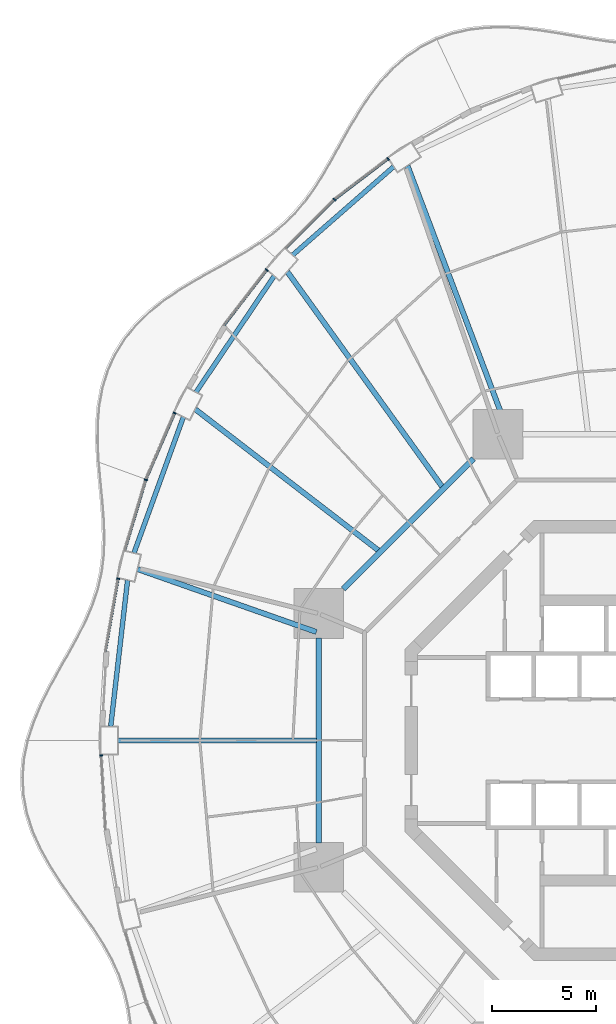
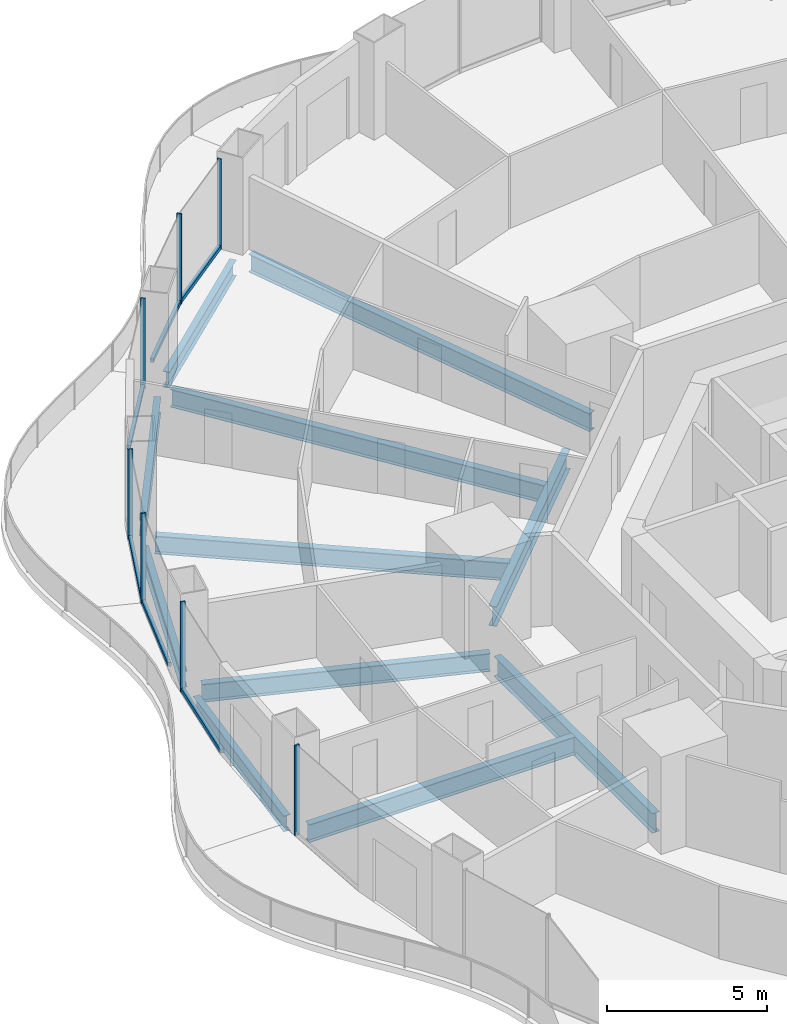
# One storey, part 7 of 22: 13 members, 11 beams, 7 elements without a shape of their own.
"""IFC4 building model written with IfcOpenShell, lengths in metres."""

from ifc_helpers import new_model, si_unit, direction, frame, origin, origin_2d, place, context, subcontext, project, spatial, rectangle, i_section, extrude, material, layer, layer_set, material_profile, profile_set, type_object, element, aggregate, save


model = new_model("IFC4")

# Units and contexts
model_context = context("Model", 3, precision=1e-05, world=origin(), true_north=direction((0.0, 1.0)))
body_context = subcontext(model_context, "Body", "Model", "MODEL_VIEW")
ifc_project = project(units=[si_unit("LENGTHUNIT", "METRE"), si_unit("AREAUNIT", "SQUARE_METRE"), si_unit("VOLUMEUNIT", "CUBIC_METRE"), si_unit("PLANEANGLEUNIT", "RADIAN"), si_unit("MASSUNIT", "GRAM", prefix="KILO")], contexts=[model_context])

# Site, building, storey
site_placement = place(None, origin())
site = spatial("IfcSite", under=ifc_project, at=site_placement, CompositionType="ELEMENT")
building_placement = place(site_placement, origin())
building = spatial("IfcBuilding", under=site, at=building_placement, Name="Nagisa Residences", CompositionType="ELEMENT")
storey_placement = place(building_placement, frame((0.0, 0.0, 52.89990234375)))
storey = spatial("IfcBuildingStorey", under=building, at=storey_placement, Name="L12", CompositionType="ELEMENT", Elevation=52.89990234375)

# Curtain wall, member
ifc_material_1 = material(Name="Concrete-coloured aluminium curtain wall system", Category="concrete")
ifc_layer = layer(ifc_material_1, 0.159912109375)
ifc_layer_set = layer_set([ifc_layer], Name="CW1 CURTAIN WALL")
curtain_wall_type = type_object("IfcCurtainWallType", Name="CW1 CURTAIN WALL", PredefinedType="NOTDEFINED", material=ifc_layer_set)
curtain_wall_1_placement = place(storey_placement, origin())
curtain_wall_1 = element("IfcCurtainWall", 1, at=curtain_wall_1_placement, inside=storey, type_object=curtain_wall_type, Name="cw:CW1:L12:16", PredefinedType="NOTDEFINED")
ifc_material_2 = material(Name="Concrete-coloured aluminium", Category="concrete")
ifc_material_profile_1 = material_profile(ifc_material_2, rectangle(XDim=0.159912109375, YDim=0.06005859375, at=origin_2d()), Name="CW1 MULLION 160x60")
ifc_profile_set_1 = profile_set([ifc_material_profile_1], Name="Concrete-coloured aluminium")
member_type_1 = type_object("IfcMemberType", Name="CW1 MULLION 160x60", PredefinedType="MULLION", material=ifc_profile_set_1)
member_1_placement = place(storey_placement, frame((-11.4326171875, 28.0732421875, 0.0), z_axis=(0.0, 0.0, 1.0), x_axis=(0.605255421737, -0.79603132756, 0.0)))
member_1 = element("IfcMember", 2, at=member_1_placement, type_object=member_type_1, Name="CW1 mullion", PredefinedType="MULLION", context=body_context, shape_type="SweptSolid", body=[
    extrude(rectangle(XDim=0.159912109375, YDim=0.06005859375, at=origin_2d()), origin(), (0.0, 0.0, 1.0), 3.440185546875),
])

curtain_wall_2_placement = place(storey_placement, origin())
curtain_wall_2 = element("IfcCurtainWall", 3, at=curtain_wall_2_placement, inside=storey, type_object=curtain_wall_type, Name="cw:CW1:L12:17", PredefinedType="NOTDEFINED")
member_2_placement = place(storey_placement, frame((-14.018798828125, 26.102783203125, 0.0), z_axis=(0.0, 0.0, 1.0), x_axis=(0.706376885714, -0.707835924016, 0.0)))
member_2 = element("IfcMember", 4, at=member_2_placement, type_object=member_type_1, Name="CW1 mullion", PredefinedType="MULLION", context=body_context, shape_type="SweptSolid", body=[
    extrude(rectangle(XDim=0.159912109375, YDim=0.06005859375, at=origin_2d()), origin(), (0.0, 0.0, 1.0), 3.440185546875),
])

curtain_wall_3_placement = place(storey_placement, origin())
curtain_wall_3 = element("IfcCurtainWall", 5, at=curtain_wall_3_placement, inside=storey, type_object=curtain_wall_type, Name="cw:CW1:L12:18", PredefinedType="NOTDEFINED")
member_3_placement = place(storey_placement, frame((-17.288330078125, 22.70751953125, 0.0), z_axis=(0.0, 0.0, 1.0), x_axis=(0.792070340816, -0.610429828235, 0.0)))
member_3 = element("IfcMember", 6, at=member_3_placement, type_object=member_type_1, Name="CW1 mullion", PredefinedType="MULLION", context=body_context, shape_type="SweptSolid", body=[
    extrude(rectangle(XDim=0.159912109375, YDim=0.06005859375, at=origin_2d()), origin(), (0.0, 0.0, 1.0), 3.440185546875),
])

curtain_wall_4_placement = place(storey_placement, origin())
curtain_wall_4 = element("IfcCurtainWall", 7, at=curtain_wall_4_placement, inside=storey, type_object=curtain_wall_type, Name="cw:CW1:L12:20", PredefinedType="NOTDEFINED")
member_4_placement = place(storey_placement, frame((-21.731689453125, 15.79833984375, 0.0), z_axis=(0.0, 0.0, 1.0), x_axis=(0.917543276295, -0.397635934147, 0.0)))
member_4 = element("IfcMember", 8, at=member_4_placement, type_object=member_type_1, Name="CW1 mullion", PredefinedType="MULLION", context=body_context, shape_type="SweptSolid", body=[
    extrude(rectangle(XDim=0.159912109375, YDim=0.06005859375, at=origin_2d()), origin(), (0.0, 0.0, 1.0), 3.440185546875),
])

curtain_wall_5_placement = place(storey_placement, origin())
curtain_wall_5 = element("IfcCurtainWall", 9, at=curtain_wall_5_placement, inside=storey, type_object=curtain_wall_type, Name="cw:CW1:L12:21", PredefinedType="NOTDEFINED")
member_5_placement = place(storey_placement, frame((-23.12451171875, 12.576904296875, 0.0), z_axis=(0.0, 0.0, 1.0), x_axis=(0.958271310082, -0.285860274038, 0.0)))
member_5 = element("IfcMember", 10, at=member_5_placement, type_object=member_type_1, Name="CW1 mullion", PredefinedType="MULLION", context=body_context, shape_type="SweptSolid", body=[
    extrude(rectangle(XDim=0.159912109375, YDim=0.06005859375, at=origin_2d()), origin(), (0.0, 0.0, 1.0), 3.440185546875),
])

curtain_wall_6_placement = place(storey_placement, origin())
curtain_wall_6 = element("IfcCurtainWall", 11, at=curtain_wall_6_placement, inside=storey, type_object=curtain_wall_type, Name="cw:CW1:L12:22", PredefinedType="NOTDEFINED")
member_6_placement = place(storey_placement, frame((-24.458740234375, 7.80810546875, 0.0), z_axis=(0.0, 0.0, 1.0), x_axis=(0.985063604377, -0.172190868898, 0.0)))
member_6 = element("IfcMember", 12, at=member_6_placement, type_object=member_type_1, Name="CW1 mullion", PredefinedType="MULLION", context=body_context, shape_type="SweptSolid", body=[
    extrude(rectangle(XDim=0.159912109375, YDim=0.06005859375, at=origin_2d()), origin(), (0.0, 0.0, 1.0), 3.440185546875),
])

curtain_wall_7_placement = place(storey_placement, origin())
curtain_wall_7 = element("IfcCurtainWall", 13, at=curtain_wall_7_placement, inside=storey, type_object=curtain_wall_type, Name="cw:CW1:L12:24", PredefinedType="NOTDEFINED")
member_7_placement = place(storey_placement, frame((-25.278076171875, -0.72412109375, 0.0), z_axis=(0.0, 0.0, 1.0), x_axis=(0.998345305184, 0.057503492216, 0.0)))
member_7 = element("IfcMember", 14, at=member_7_placement, type_object=member_type_1, Name="CW1 mullion", PredefinedType="MULLION", context=body_context, shape_type="SweptSolid", body=[
    extrude(rectangle(XDim=0.159912109375, YDim=0.06005859375, at=origin_2d()), origin(), (0.0, 0.0, 1.0), 3.440185546875),
])
aggregate(curtain_wall_7, [member_7])

# Member
ifc_material_3 = material(Name="Concrete-coloured aluminium", Category="concrete")
ifc_material_profile_2 = material_profile(ifc_material_3, rectangle(XDim=0.1201171875, YDim=0.14990234375, at=origin_2d()), Name="CW1 TRANSOM 120x150")
ifc_profile_set_2 = profile_set([ifc_material_profile_2], Name="Concrete-coloured aluminium")
member_type_2 = type_object("IfcMemberType", Name="CW1 TRANSOM 120x150", PredefinedType="USERDEFINED", material=ifc_profile_set_2)
member_8_placement = place(storey_placement, frame((-11.40869140625, 28.091552734375, 0.0751953125), z_axis=(-0.796022293214, -0.605267303517, 0.0), x_axis=(0.605267303517, -0.796022293214, 0.0)))
member_8 = element("IfcMember", 15, at=member_8_placement, type_object=member_type_2, Name="CW1 transom", ObjectType="TRANSOM", PredefinedType="USERDEFINED", context=body_context, shape_type="SweptSolid", body=[
    extrude(rectangle(XDim=0.1201171875, YDim=0.14990234375, at=origin_2d()), origin(), (0.0, 0.0, 1.0), 3.262451171875),
])

aggregate(curtain_wall_1, [member_1, member_8])

member_9_placement = place(storey_placement, frame((-13.99755859375, 26.1240234375, 0.0751953125), z_axis=(-0.707839761606, -0.706373040177, 0.0), x_axis=(0.706373040177, -0.707839761606, 0.0)))
member_9 = element("IfcMember", 16, at=member_9_placement, type_object=member_type_2, Name="CW1 transom", ObjectType="TRANSOM", PredefinedType="USERDEFINED", context=body_context, shape_type="SweptSolid", body=[
    extrude(rectangle(XDim=0.1201171875, YDim=0.14990234375, at=origin_2d()), origin(), (0.0, 0.0, 1.0), 3.3291015625),
])

aggregate(curtain_wall_2, [member_2, member_9])

member_10_placement = place(storey_placement, frame((-17.27001953125, 22.731201171875, 0.0751953125), z_axis=(-0.610457147657, -0.792049285635, 0.0), x_axis=(0.792049285635, -0.610457147657, 0.0)))
member_10 = element("IfcMember", 17, at=member_10_placement, type_object=member_type_2, Name="CW1 transom", ObjectType="TRANSOM", PredefinedType="USERDEFINED", context=body_context, shape_type="SweptSolid", body=[
    extrude(rectangle(XDim=0.1201171875, YDim=0.14990234375, at=origin_2d()), origin(), (0.0, 0.0, 1.0), 3.3974609375),
])

aggregate(curtain_wall_3, [member_3, member_10])

member_11_placement = place(storey_placement, frame((-21.7197265625, 15.825927734375, 0.0751953125), z_axis=(-0.397624958345, -0.917548032803, 0.0), x_axis=(0.917548032803, -0.397624958345, 0.0)))
member_11 = element("IfcMember", 18, at=member_11_placement, type_object=member_type_2, Name="CW1 transom", ObjectType="TRANSOM", PredefinedType="USERDEFINED", context=body_context, shape_type="SweptSolid", body=[
    extrude(rectangle(XDim=0.1201171875, YDim=0.14990234375, at=origin_2d()), origin(), (0.0, 0.0, 1.0), 3.51953125),
])

aggregate(curtain_wall_4, [member_4, member_11])

member_12_placement = place(storey_placement, frame((-23.115966796875, 12.605712890625, 0.0751953125), z_axis=(-0.285808431121, -0.958286773727, 0.0), x_axis=(0.958286773727, -0.285808431121, 0.0)))
member_12 = element("IfcMember", 19, at=member_12_placement, type_object=member_type_2, Name="CW1 transom", ObjectType="TRANSOM", PredefinedType="USERDEFINED", context=body_context, shape_type="SweptSolid", body=[
    extrude(rectangle(XDim=0.1201171875, YDim=0.14990234375, at=origin_2d()), origin(), (0.0, 0.0, 1.0), 3.5654296875),
])

aggregate(curtain_wall_5, [member_5, member_12])

member_13_placement = place(storey_placement, frame((-24.45361328125, 7.837646484375, 0.0751953125), z_axis=(-0.172163041068, -0.985068468326, 0.0), x_axis=(0.985068468326, -0.172163041068, 0.0)))
member_13 = element("IfcMember", 20, at=member_13_placement, type_object=member_type_2, Name="CW1 transom", ObjectType="TRANSOM", PredefinedType="USERDEFINED", context=body_context, shape_type="SweptSolid", body=[
    extrude(rectangle(XDim=0.1201171875, YDim=0.14990234375, at=origin_2d()), origin(), (0.0, 0.0, 1.0), 3.59765625),
])

aggregate(curtain_wall_6, [member_6, member_13])

# Beams
ifc_material_4 = material(Name="Steel ASTM A572 Gr 50", Category="steel")
ifc_material_profile_3 = material_profile(ifc_material_4, i_section(OverallWidth=0.264892578125, OverallDepth=0.7529296875, WebThickness=0.01318359375, FlangeThickness=0.01708984375, at=origin_2d()), Name="W760x147")
ifc_profile_set_3 = profile_set([ifc_material_profile_3], Name="Steel ASTM A572 Gr 50")
beam_type_1 = type_object("IfcBeamType", Name="Inner ring beam W760x147", PredefinedType="BEAM", material=ifc_profile_set_3)
beam_1_placement = place(storey_placement, frame((-7.308837890625, 13.59619140625, -0.636474609375), z_axis=(-0.707106781187, -0.707106781187, 0.0), x_axis=(0.707106781187, -0.707106781187, 0.0)))
element("IfcBeam", 21, at=beam_1_placement, inside=storey, type_object=beam_type_1, Name="beam:L12:ib3", PredefinedType="BEAM", context=body_context, shape_type="SweptSolid", body=[
    extrude(i_section(OverallWidth=0.264892578125, OverallDepth=0.7529296875, WebThickness=0.01318359375, FlangeThickness=0.01708984375, at=origin_2d()), origin(), (0.0, 0.0, 1.0), 8.8916015625),
])
beam_2_placement = place(storey_placement, frame((-14.781982421875, 4.94287109375, -0.636474609375), z_axis=(0.0, -1.0, 0.0), x_axis=(1.0, 0.0, 0.0)))
element("IfcBeam", 22, at=beam_2_placement, inside=storey, type_object=beam_type_1, Name="beam:L12:ib4", PredefinedType="BEAM", context=body_context, shape_type="SweptSolid", body=[
    extrude(i_section(OverallWidth=0.264892578125, OverallDepth=0.7529296875, WebThickness=0.01318359375, FlangeThickness=0.01708984375, at=origin_2d()), origin(), (0.0, 0.0, 1.0), 9.8857421875),
])
ifc_material_5 = material(Name="Steel ASTM A572 Gr 50", Category="steel")
ifc_material_profile_4 = material_profile(ifc_material_5, i_section(OverallWidth=0.22802734375, OverallDepth=0.60302734375, WebThickness=0.010498046875, FlangeThickness=0.014892578125, at=origin_2d()), Name="W610x101")
ifc_profile_set_4 = profile_set([ifc_material_profile_4], Name="Steel ASTM A572 Gr 50")
beam_type_2 = type_object("IfcBeamType", Name="Perimeter ring beam W610x101", PredefinedType="BEAM", material=ifc_profile_set_4)
beam_3_placement = place(storey_placement, frame((-11.166748046875, 27.693603515625, -0.5615234375), z_axis=(-0.752574357292, -0.658507279191, 0.0), x_axis=(0.658507279191, -0.752574357292, 0.0)))
element("IfcBeam", 23, at=beam_3_placement, inside=storey, type_object=beam_type_2, Name="beam:L12:pb09", PredefinedType="BEAM", context=body_context, shape_type="SweptSolid", body=[
    extrude(i_section(OverallWidth=0.22802734375, OverallDepth=0.60302734375, WebThickness=0.010498046875, FlangeThickness=0.014892578125, at=origin_2d()), origin(), (0.0, 0.0, 1.0), 6.47021484375),
])
beam_4_placement = place(storey_placement, frame((-16.935302734375, 22.411865234375, -0.5615234375), z_axis=(-0.558296806041, -0.829641293792, 0.0), x_axis=(0.829641293792, -0.558296806041, 0.0)))
element("IfcBeam", 24, at=beam_4_placement, inside=storey, type_object=beam_type_2, Name="beam:L12:pb10", PredefinedType="BEAM", context=body_context, shape_type="SweptSolid", body=[
    extrude(i_section(OverallWidth=0.22802734375, OverallDepth=0.60302734375, WebThickness=0.010498046875, FlangeThickness=0.014892578125, at=origin_2d()), origin(), (0.0, 0.0, 1.0), 6.74169921875),
])
beam_5_placement = place(storey_placement, frame((-21.315673828125, 15.60595703125, -0.5615234375), z_axis=(-0.341411143183, -0.939914055279, 0.0), x_axis=(0.939914055279, -0.341411143183, 0.0)))
element("IfcBeam", 25, at=beam_5_placement, inside=storey, type_object=beam_type_2, Name="beam:L12:pb11", PredefinedType="BEAM", context=body_context, shape_type="SweptSolid", body=[
    extrude(i_section(OverallWidth=0.22802734375, OverallDepth=0.60302734375, WebThickness=0.010498046875, FlangeThickness=0.014892578125, at=origin_2d()), origin(), (0.0, 0.0, 1.0), 6.96923828125),
])
beam_6_placement = place(storey_placement, frame((-24.00732421875, 7.7314453125, -0.5615234375), z_axis=(-0.114707660057, -0.993399291687, 0.0), x_axis=(0.993399291687, -0.114707660057, 0.0)))
element("IfcBeam", 26, at=beam_6_placement, inside=storey, type_object=beam_type_2, Name="beam:L12:pb12", PredefinedType="BEAM", context=body_context, shape_type="SweptSolid", body=[
    extrude(i_section(OverallWidth=0.22802734375, OverallDepth=0.60302734375, WebThickness=0.010498046875, FlangeThickness=0.014892578125, at=origin_2d()), origin(), (0.0, 0.0, 1.0), 7.09814453125),
])
ifc_material_6 = material(Name="Steel ASTM A572 Gr 50", Category="steel")
ifc_material_profile_5 = material_profile(ifc_material_6, i_section(OverallWidth=0.25390625, OverallDepth=0.68408203125, WebThickness=0.012451171875, FlangeThickness=0.018798828125, at=origin_2d()), Name="W690x140")
ifc_profile_set_5 = profile_set([ifc_material_profile_5], Name="Steel ASTM A572 Gr 50")
beam_type_3 = type_object("IfcBeamType", Name="Radial beam W690x140", PredefinedType="BEAM", material=ifc_profile_set_5)
beam_7_placement = place(storey_placement, frame((-10.493896484375, 27.7333984375, -0.601806640625), z_axis=(0.353887892206, -0.935287848606, 0.0), x_axis=(0.935287848606, 0.353887892206, 0.0)))
element("IfcBeam", 27, at=beam_7_placement, inside=storey, type_object=beam_type_3, Name="beam:L12:rb09", PredefinedType="BEAM", context=body_context, shape_type="SweptSolid", body=[
    extrude(i_section(OverallWidth=0.25390625, OverallDepth=0.68408203125, WebThickness=0.012451171875, FlangeThickness=0.018798828125, at=origin_2d()), origin(), (0.0, 0.0, 1.0), 13.725830078125),
])
beam_8_placement = place(storey_placement, frame((-16.29443359375, 22.62255859375, -0.601806640625), z_axis=(0.58445507622, -0.811426068031, 0.0), x_axis=(0.811426068031, 0.58445507622, 0.0)))
element("IfcBeam", 28, at=beam_8_placement, inside=storey, type_object=beam_type_3, Name="beam:L12:rb10", PredefinedType="BEAM", context=body_context, shape_type="SweptSolid", body=[
    extrude(i_section(OverallWidth=0.25390625, OverallDepth=0.68408203125, WebThickness=0.012451171875, FlangeThickness=0.018798828125, at=origin_2d()), origin(), (0.0, 0.0, 1.0), 12.78955078125),
])
beam_9_placement = place(storey_placement, frame((-20.73486328125, 15.982666015625, -0.601806640625), z_axis=(0.792016146736, -0.610500141941, 0.0), x_axis=(0.610500141941, 0.792016146736, 0.0)))
element("IfcBeam", 29, at=beam_9_placement, inside=storey, type_object=beam_type_3, Name="beam:L12:rb11", PredefinedType="BEAM", context=body_context, shape_type="SweptSolid", body=[
    extrude(i_section(OverallWidth=0.25390625, OverallDepth=0.68408203125, WebThickness=0.012451171875, FlangeThickness=0.018798828125, at=origin_2d()), origin(), (0.0, 0.0, 1.0), 11.160888671875),
])
beam_10_placement = place(storey_placement, frame((-23.520751953125, 8.26806640625, -0.601806640625), z_axis=(0.943414535235, -0.331615763659, 0.0), x_axis=(0.331615763659, 0.943414535235, 0.0)))
element("IfcBeam", 30, at=beam_10_placement, inside=storey, type_object=beam_type_3, Name="beam:L12:rb12", PredefinedType="BEAM", context=body_context, shape_type="SweptSolid", body=[
    extrude(i_section(OverallWidth=0.25390625, OverallDepth=0.68408203125, WebThickness=0.012451171875, FlangeThickness=0.018798828125, at=origin_2d()), origin(), (0.0, 0.0, 1.0), 9.142333984375),
])
beam_11_placement = place(storey_placement, frame((-24.469970703125, 0.0, -0.601806640625), z_axis=(1.0, 0.0, 0.0), x_axis=(0.0, 1.0, 0.0)))
element("IfcBeam", 31, at=beam_11_placement, inside=storey, type_object=beam_type_3, Name="beam:L12:rb13", PredefinedType="BEAM", context=body_context, shape_type="SweptSolid", body=[
    extrude(i_section(OverallWidth=0.25390625, OverallDepth=0.68408203125, WebThickness=0.012451171875, FlangeThickness=0.018798828125, at=origin_2d()), origin(), (0.0, 0.0, 1.0), 9.575439453125),
])

save(model, "model.ifc")
